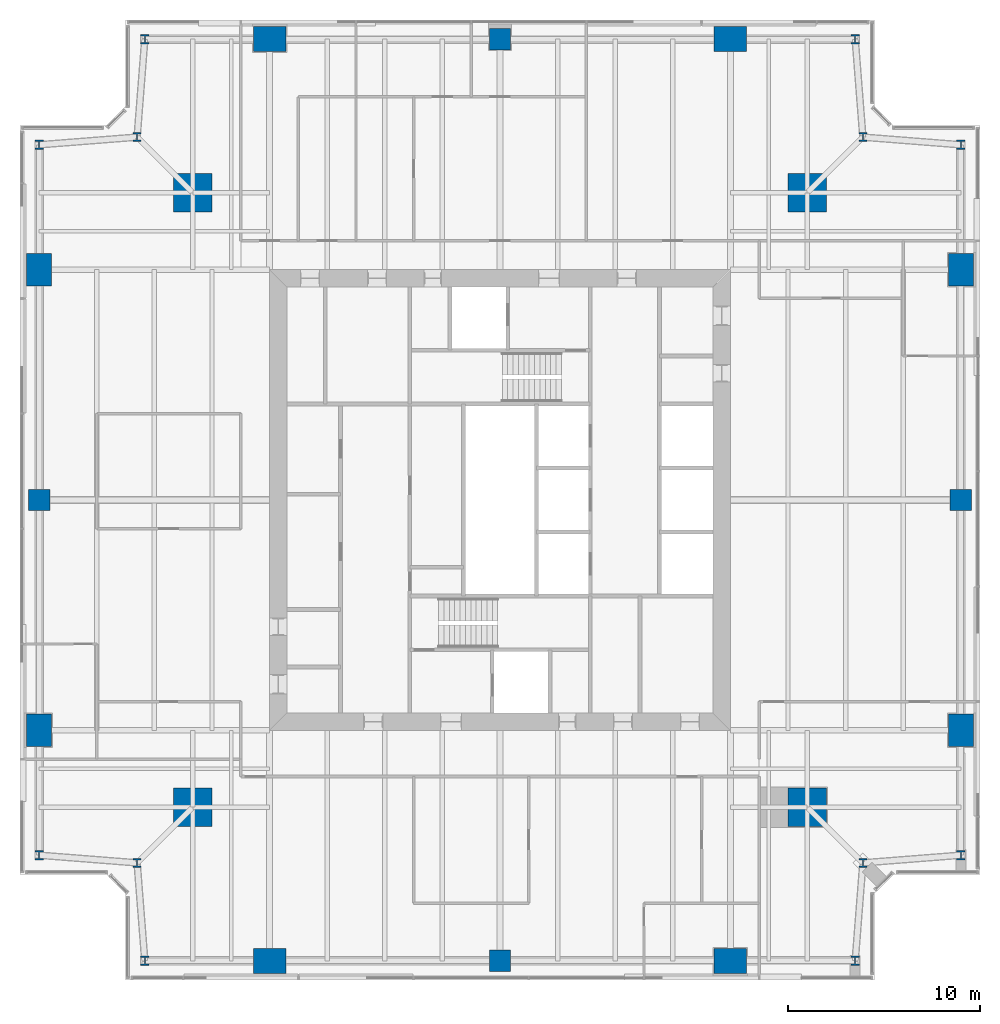
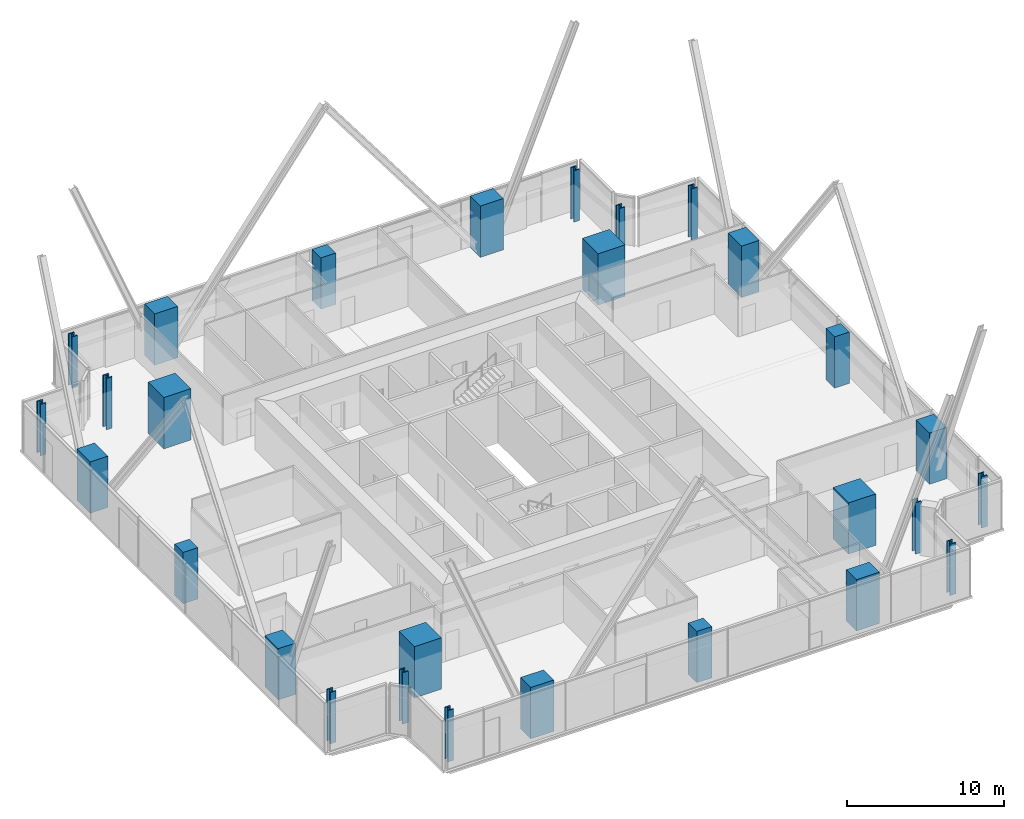
# One storey, part 1 of 13: 28 columns.
"""IFC4 building model written with IfcOpenShell, lengths in metres."""

from ifc_helpers import new_model, si_unit, direction, frame, origin, origin_2d, place, context, subcontext, project, spatial, rectangle, i_section, extrude, material, material_profile, profile_set, type_object, element, save


model = new_model("IFC4")

# Units and contexts
model_context = context("Model", 3, precision=1e-05, world=origin(), true_north=direction((0.0, 1.0)))
body_context = subcontext(model_context, "Body", "Model", "MODEL_VIEW")
ifc_project = project(units=[si_unit("LENGTHUNIT", "METRE"), si_unit("AREAUNIT", "SQUARE_METRE"), si_unit("VOLUMEUNIT", "CUBIC_METRE"), si_unit("PLANEANGLEUNIT", "RADIAN"), si_unit("MASSUNIT", "GRAM", prefix="KILO")], contexts=[model_context])

# Site, building, storey
site_placement = place(None, origin())
site = spatial("IfcSite", under=ifc_project, at=site_placement, CompositionType="ELEMENT")
building_placement = place(site_placement, origin())
building = spatial("IfcBuilding", under=site, at=building_placement, Name="Fenwick Lantern Interchange", CompositionType="ELEMENT")
storey_placement = place(building_placement, frame((0.0, 0.0, 201.800048828125)))
storey = spatial("IfcBuildingStorey", under=building, at=storey_placement, Name="L47", CompositionType="ELEMENT", Elevation=201.800048828125)

# Columns
ifc_material_1 = material(Name="Concrete f'c 70 MPa", Category="concrete")
ifc_material_profile_1 = material_profile(ifc_material_1, rectangle(XDim=2.0, YDim=2.0, at=origin_2d()), Name="RC2000X2000")
ifc_profile_set_1 = profile_set([ifc_material_profile_1], Name="Concrete f'c 70 MPa")
column_type_1 = type_object("IfcColumnType", Name="MEGA COLUMN RC2000X2000", PredefinedType="COLUMN", material=ifc_profile_set_1)
for number, where, z_axis, x_axis, name in (
    (1, (9.0, 9.0, 0.0), (0.0, 0.0, 1.0), (1.0, 0.0, 0.0), "L47/M1"),
    (2, (41.0, 9.0, 0.0), (0.0, 0.0, 1.0), (1.0, 0.0, 0.0), "L47/M2"),
    (3, (41.0, 41.0, 0.0), (0.0, 0.0, 1.0), (1.0, 0.0, 0.0), "L47/M3"),
    (4, (9.0, 41.0, 0.0), (0.0, 0.0, 1.0), (1.0, 0.0, 0.0), "L47/M4"),
):
    element("IfcColumn", number, at=place(storey_placement, frame(where, z_axis=z_axis, x_axis=x_axis)), inside=storey, type_object=column_type_1, Name=name, PredefinedType="COLUMN", context=body_context, shape_type="SweptSolid", body=[
        extrude(rectangle(XDim=2.0, YDim=2.0, at=origin_2d()), origin(), (0.0, 0.0, 1.0), 4.0),
    ])
ifc_material_profile_2 = material_profile(ifc_material_1, rectangle(XDim=1.10009765625, YDim=1.10009765625, at=origin_2d()), Name="RC1100X1100")
ifc_profile_set_2 = profile_set([ifc_material_profile_2], Name="Concrete f'c 70 MPa")
column_type_2 = type_object("IfcColumnType", Name="PERIMETER COLUMN RC1100X1100", PredefinedType="COLUMN", material=ifc_profile_set_2)
for number, where, z_axis, x_axis, name in (
    (5, (25.0, 1.0, 0.0), (0.0, 0.0, 1.0), (1.0, 0.0, 0.0), "L47/CS3"),
    (6, (49.0, 25.0, 0.0), (0.0, 0.0, 1.0), (1.0, 0.0, 0.0), "L47/CE3"),
    (7, (25.0, 49.0, 0.0), (0.0, 0.0, 1.0), (1.0, 0.0, 0.0), "L47/CN3"),
    (8, (1.0, 25.0, 0.0), (0.0, 0.0, 1.0), (1.0, 0.0, 0.0), "L47/CW3"),
):
    element("IfcColumn", number, at=place(storey_placement, frame(where, z_axis=z_axis, x_axis=x_axis)), inside=storey, type_object=column_type_2, Name=name, PredefinedType="COLUMN", context=body_context, shape_type="SweptSolid", body=[
        extrude(rectangle(XDim=1.10009765625, YDim=1.10009765625, at=origin_2d()), origin(), (0.0, 0.0, 1.0), 4.0),
    ])
ifc_material_profile_3 = material_profile(ifc_material_1, rectangle(XDim=1.300048828125, YDim=1.699951171875, at=origin_2d()), Name="RC1300X1700")
ifc_profile_set_3 = profile_set([ifc_material_profile_3], Name="Concrete f'c 70 MPa")
column_type_3 = type_object("IfcColumnType", Name="PERIMETER COLUMN RC1300X1700", PredefinedType="COLUMN", material=ifc_profile_set_3)
for number, where, z_axis, x_axis, name in (
    (9, (49.0, 13.0, 0.0), (0.0, 0.0, 1.0), (1.0, 0.0, 0.0), "L47/CE2"),
    (10, (49.0, 37.0, 0.0), (0.0, 0.0, 1.0), (1.0, 0.0, 0.0), "L47/CE4"),
    (11, (1.0, 37.0, 0.0), (0.0, 0.0, 1.0), (1.0, 0.0, 0.0), "L47/CW2"),
    (12, (1.0, 13.0, 0.0), (0.0, 0.0, 1.0), (1.0, 0.0, 0.0), "L47/CW4"),
):
    element("IfcColumn", number, at=place(storey_placement, frame(where, z_axis=z_axis, x_axis=x_axis)), inside=storey, type_object=column_type_3, Name=name, PredefinedType="COLUMN", context=body_context, shape_type="SweptSolid", body=[
        extrude(rectangle(XDim=1.300048828125, YDim=1.699951171875, at=origin_2d()), origin(), (0.0, 0.0, 1.0), 4.0),
    ])
ifc_material_profile_4 = material_profile(ifc_material_1, rectangle(XDim=1.699951171875, YDim=1.300048828125, at=origin_2d()), Name="RC1700X1300")
ifc_profile_set_4 = profile_set([ifc_material_profile_4], Name="Concrete f'c 70 MPa")
column_type_4 = type_object("IfcColumnType", Name="PERIMETER COLUMN RC1700X1300", PredefinedType="COLUMN", material=ifc_profile_set_4)
for number, where, z_axis, x_axis, name in (
    (13, (13.0, 1.0, 0.0), (0.0, 0.0, 1.0), (1.0, 0.0, 0.0), "L47/CS2"),
    (14, (37.0, 1.0, 0.0), (0.0, 0.0, 1.0), (1.0, 0.0, 0.0), "L47/CS4"),
    (15, (37.0, 49.0, 0.0), (0.0, 0.0, 1.0), (1.0, 0.0, 0.0), "L47/CN2"),
    (16, (13.0, 49.0, 0.0), (0.0, 0.0, 1.0), (1.0, 0.0, 0.0), "L47/CN4"),
):
    element("IfcColumn", number, at=place(storey_placement, frame(where, z_axis=z_axis, x_axis=x_axis)), inside=storey, type_object=column_type_4, Name=name, PredefinedType="COLUMN", context=body_context, shape_type="SweptSolid", body=[
        extrude(rectangle(XDim=1.699951171875, YDim=1.300048828125, at=origin_2d()), origin(), (0.0, 0.0, 1.0), 4.0),
    ])
ifc_material_2 = material(Name="Steel ASTM A992 Grade 50", Category="steel")
ifc_material_profile_5 = material_profile(ifc_material_2, i_section(OverallWidth=0.424072265625, OverallDepth=0.47509765625, WebThickness=0.0478515625, FlangeThickness=0.0771484375, at=origin_2d()), Name="W14X426")
ifc_profile_set_5 = profile_set([ifc_material_profile_5], Name="Steel ASTM A992 Grade 50")
column_type_5 = type_object("IfcColumnType", Name="PERIMETER COLUMN W14X426", PredefinedType="COLUMN", material=ifc_profile_set_5)
for number, where, z_axis, x_axis, name in (
    (17, (6.5, 1.0, 0.0), (0.0, 0.0, 1.0), (1.0, 0.0, 0.0), "L47/CS1"),
    (18, (43.5, 1.0, 0.0), (0.0, 0.0, 1.0), (1.0, 0.0, 0.0), "L47/CS5"),
    (19, (43.89990234375, 6.10009765625, 0.0), (0.0, 0.0, 1.0), (1.0, 0.0, 0.0), "L47/CSR"),
    (20, (49.0, 6.5, 0.0), (0.0, 0.0, 1.0), (1.0, 0.0, 0.0), "L47/CE1"),
    (21, (49.0, 43.5, 0.0), (0.0, 0.0, 1.0), (1.0, 0.0, 0.0), "L47/CE5"),
    (22, (43.89990234375, 43.89990234375, 0.0), (0.0, 0.0, 1.0), (1.0, 0.0, 0.0), "L47/CER"),
    (23, (43.5, 49.0, 0.0), (0.0, 0.0, 1.0), (1.0, 0.0, 0.0), "L47/CN1"),
    (24, (6.5, 49.0, 0.0), (0.0, 0.0, 1.0), (1.0, 0.0, 0.0), "L47/CN5"),
    (25, (6.10009765625, 43.89990234375, 0.0), (0.0, 0.0, 1.0), (1.0, 0.0, 0.0), "L47/CNR"),
    (26, (1.0, 43.5, 0.0), (0.0, 0.0, 1.0), (1.0, 0.0, 0.0), "L47/CW1"),
    (27, (1.0, 6.5, 0.0), (0.0, 0.0, 1.0), (1.0, 0.0, 0.0), "L47/CW5"),
    (28, (6.10009765625, 6.10009765625, 0.0), (0.0, 0.0, 1.0), (1.0, 0.0, 0.0), "L47/CWR"),
):
    element("IfcColumn", number, at=place(storey_placement, frame(where, z_axis=z_axis, x_axis=x_axis)), inside=storey, type_object=column_type_5, Name=name, PredefinedType="COLUMN", context=body_context, shape_type="SweptSolid", body=[
        extrude(i_section(OverallWidth=0.424072265625, OverallDepth=0.47509765625, WebThickness=0.0478515625, FlangeThickness=0.0771484375, at=origin_2d()), origin(), (0.0, 0.0, 1.0), 4.0),
    ])

save(model, "model.ifc")
